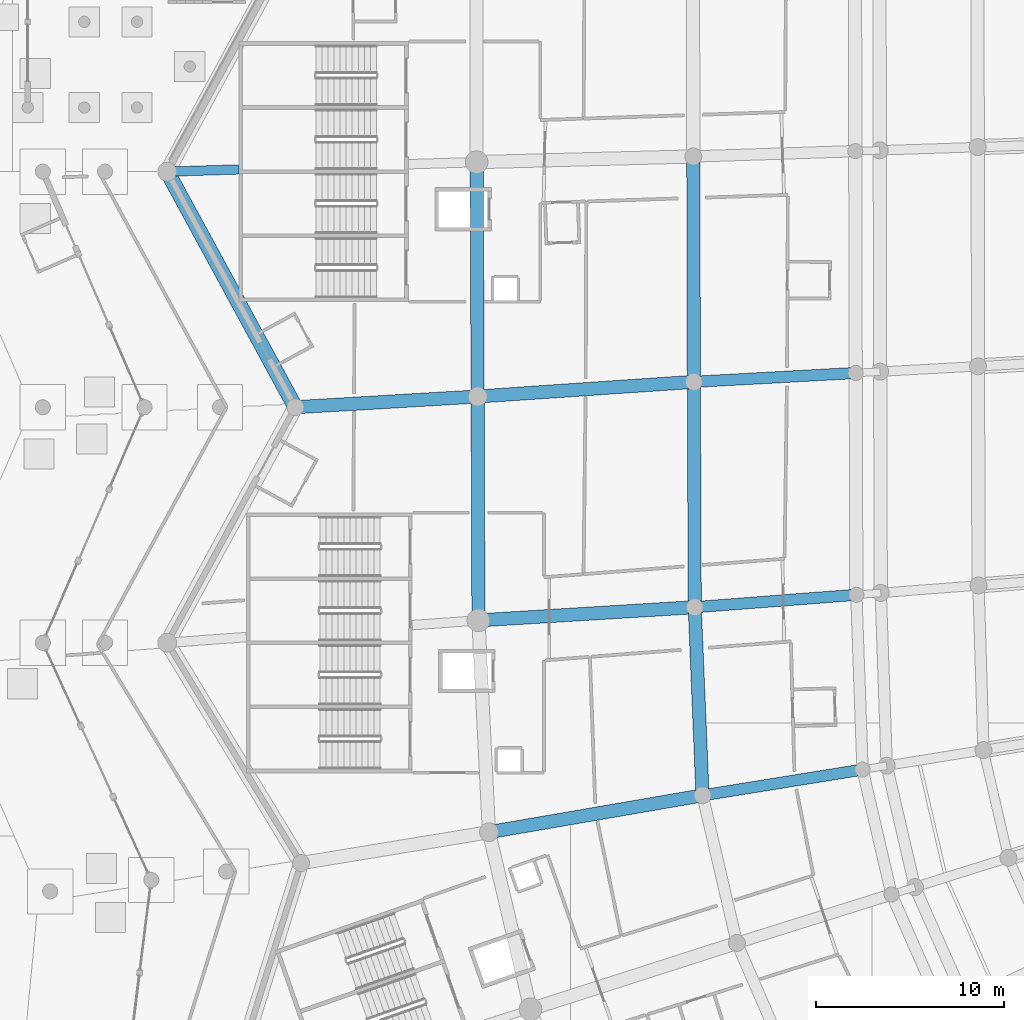
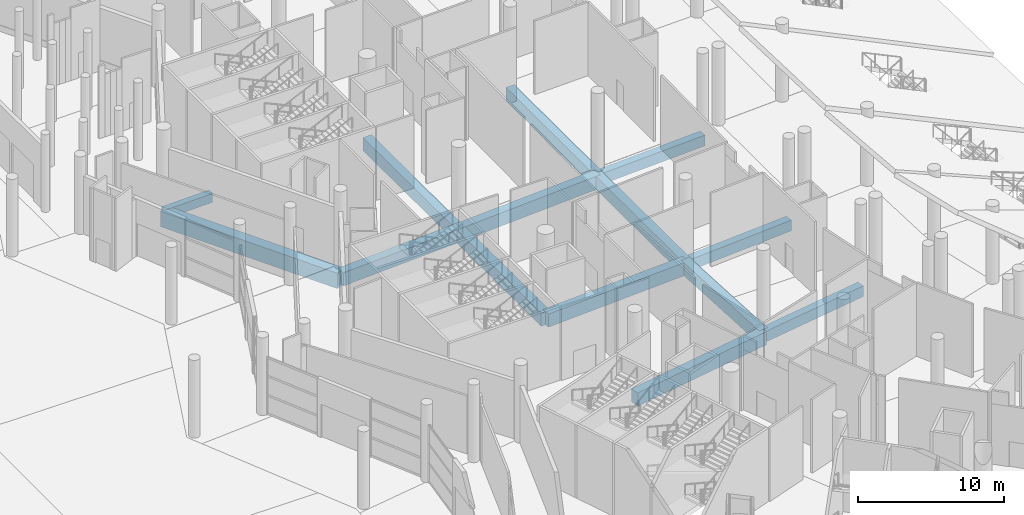
# One storey, part 25 of 255: 14 beams.
"""IFC4 building model written with IfcOpenShell, lengths in metres."""

from ifc_helpers import new_model, si_unit, direction, frame, origin, origin_2d, place, context, subcontext, project, spatial, rectangle, extrude, material, material_profile, profile_set, type_object, element, save


model = new_model("IFC4")

# Units and contexts
model_context = context("Model", 3, precision=1e-05, world=origin(), true_north=direction((0.0, 1.0)))
body_context = subcontext(model_context, "Body", "Model", "MODEL_VIEW")
ifc_project = project(units=[si_unit("LENGTHUNIT", "METRE"), si_unit("AREAUNIT", "SQUARE_METRE"), si_unit("VOLUMEUNIT", "CUBIC_METRE"), si_unit("PLANEANGLEUNIT", "RADIAN"), si_unit("MASSUNIT", "GRAM", prefix="KILO")], contexts=[model_context])

# Site, building, storey
site_placement = place(None, origin())
site = spatial("IfcSite", under=ifc_project, at=site_placement, CompositionType="ELEMENT")
building_placement = place(site_placement, origin())
building = spatial("IfcBuilding", under=site, at=building_placement, Name="Meseta Stadium", CompositionType="ELEMENT")
storey_placement = place(building_placement, origin())
storey = spatial("IfcBuildingStorey", under=building, at=storey_placement, Name="L00", CompositionType="ELEMENT", Elevation=0.0)

# Beams
ifc_material_1 = material(Name="Concrete C40/50", Category="concrete")
ifc_material_profile_1 = material_profile(ifc_material_1, rectangle(XDim=0.5, YDim=0.75, at=origin_2d()), Name="RC 500x750")
ifc_profile_set_1 = profile_set([ifc_material_profile_1], Name="Concrete C40/50")
beam_type_1 = type_object("IfcBeamType", Name="RC beam 500x750", PredefinedType="BEAM", material=ifc_profile_set_1)
beam_1_placement = place(storey_placement, frame((-97.60009765625, -18.6328125, -0.77490234375), z_axis=(-0.99952477381, -0.030825744759, 0.0), x_axis=(0.030825744759, -0.99952477381, 0.0)))
element("IfcBeam", 1, at=beam_1_placement, inside=storey, type_object=beam_type_1, Name="L00 radial beam frame 34 line P to R", PredefinedType="BEAM", context=body_context, shape_type="SweptSolid", body=[
    extrude(rectangle(XDim=0.5, YDim=0.75, at=origin_2d()), origin(), (0.0, 0.0, 1.0), 3.801513671875),
])
ifc_material_2 = material(Name="Concrete C40/50", Category="concrete")
ifc_material_profile_2 = material_profile(ifc_material_2, rectangle(XDim=0.60009765625, YDim=0.89990234375, at=origin_2d()), Name="RC 600x900")
ifc_profile_set_2 = profile_set([ifc_material_profile_2], Name="Concrete C40/50")
beam_type_2 = type_object("IfcBeamType", Name="RC beam 600x900", PredefinedType="BEAM", material=ifc_profile_set_2)
for number, where, z_axis, x_axis, name in (
    (2, (-64.8642578125, -29.433349609375, -0.85009765625), (-0.998501047384, -0.054732607948, 0.0), (0.054732607948, -0.998501047384, 0.0), "L00 radial beam frame 35 line D to E"),
    (3, (-64.829833984375, -41.2041015625, -0.85009765625), (-0.997066996267, -0.076533685105, 0.0), (0.076533685105, -0.997066996267, 0.0), "L00 radial beam frame 36 line D to E"),
):
    element("IfcBeam", number, at=place(storey_placement, frame(where, z_axis=z_axis, x_axis=x_axis)), inside=storey, type_object=beam_type_2, Name=name, PredefinedType="BEAM", context=body_context, shape_type="SweptSolid", body=[
        extrude(rectangle(XDim=0.60009765625, YDim=0.89990234375, at=origin_2d()), origin(), (0.0, 0.0, 1.0), 8.60009765625),
    ])
beam_2_placement = place(storey_placement, frame((-64.501708984375, -50.479736328125, -0.85009765625), z_axis=(-0.987277660392, -0.159005727229, 0.0), x_axis=(0.159005727229, -0.987277660392, 0.0)))
element("IfcBeam", 4, at=beam_2_placement, inside=storey, type_object=beam_type_2, Name="L00 radial beam frame 37 line D to E", PredefinedType="BEAM", context=body_context, shape_type="SweptSolid", body=[
    extrude(rectangle(XDim=0.60009765625, YDim=0.89990234375, at=origin_2d()), origin(), (0.0, 0.0, 1.0), 8.599853515625),
])
ifc_material_3 = material(Name="Concrete C40/50", Category="concrete")
ifc_material_profile_3 = material_profile(ifc_material_3, rectangle(XDim=0.699951171875, YDim=1.10009765625, at=origin_2d()), Name="RC 700x1100")
ifc_profile_set_3 = profile_set([ifc_material_profile_3], Name="Concrete C40/50")
beam_type_3 = type_object("IfcBeamType", Name="RC beam 700x1100", PredefinedType="BEAM", material=ifc_profile_set_3)
beam_3_placement = place(storey_placement, frame((-73.482421875, -17.943603515625, -0.949951171875), z_axis=(0.002592357078, -0.999996639837, 0.0), x_axis=(0.999996639837, 0.002592357078, 0.0)))
element("IfcBeam", 5, at=beam_3_placement, inside=storey, type_object=beam_type_3, Name="L00 ring beam frame 34 line E", PredefinedType="BEAM", context=body_context, shape_type="SweptSolid", body=[
    extrude(rectangle(XDim=0.699951171875, YDim=1.10009765625, at=origin_2d()), origin(), (0.0, 0.0, 1.0), 11.96044921875),
])
beam_4_placement = place(storey_placement, frame((-84.978515625, -18.24365234375, -0.949951171875), z_axis=(0.004279001378, -0.999990845032, 0.0), x_axis=(0.999990845032, 0.004279001378, 0.0)))
element("IfcBeam", 6, at=beam_4_placement, inside=storey, type_object=beam_type_3, Name="L00 ring beam frame 34 line P", PredefinedType="BEAM", context=body_context, shape_type="SweptSolid", body=[
    extrude(rectangle(XDim=0.699951171875, YDim=1.10009765625, at=origin_2d()), origin(), (0.0, 0.0, 1.0), 12.43798828125),
])
beam_5_placement = place(storey_placement, frame((-73.451416015625, -29.904052734375, -0.949951171875), z_axis=(0.003899441576, -0.999992397149, 0.0), x_axis=(0.999992397149, 0.003899441576, 0.0)))
element("IfcBeam", 7, at=beam_5_placement, inside=storey, type_object=beam_type_3, Name="L00 ring beam frame 35 line E", PredefinedType="BEAM", context=body_context, shape_type="SweptSolid", body=[
    extrude(rectangle(XDim=0.699951171875, YDim=1.10009765625, at=origin_2d()), origin(), (0.0, 0.0, 1.0), 11.958251953125),
])
beam_6_placement = place(storey_placement, frame((-84.92529296875, -30.681640625, -0.949951171875), z_axis=(0.003473057557, -0.999993968917, 0.0), x_axis=(0.999993968917, 0.003473057557, 0.0)))
element("IfcBeam", 8, at=beam_6_placement, inside=storey, type_object=beam_type_3, Name="L00 ring beam frame 35 line P", PredefinedType="BEAM", context=body_context, shape_type="SweptSolid", body=[
    extrude(rectangle(XDim=0.699951171875, YDim=1.10009765625, at=origin_2d()), origin(), (0.0, 0.0, 1.0), 11.8798828125),
])
beam_7_placement = place(storey_placement, frame((-73.40478515625, -41.8623046875, -0.949951171875), z_axis=(0.041287079546, -0.999147325004, 0.0), x_axis=(0.999147325004, 0.041287079546, 0.0)))
element("IfcBeam", 9, at=beam_7_placement, inside=storey, type_object=beam_type_3, Name="L00 ring beam frame 36 line E", PredefinedType="BEAM", context=body_context, shape_type="SweptSolid", body=[
    extrude(rectangle(XDim=0.699951171875, YDim=1.10009765625, at=origin_2d()), origin(), (0.0, 0.0, 1.0), 9.993408203125),
])
beam_8_placement = place(storey_placement, frame((-73.451416015625, -29.904052734375, -0.949951171875), z_axis=(-0.997711474421, -0.067615189183, 0.0), x_axis=(0.067615189183, -0.997711474421, 0.0)))
element("IfcBeam", 10, at=beam_8_placement, inside=storey, type_object=beam_type_3, Name="L00 radial beam frame 35 line E to P", PredefinedType="BEAM", context=body_context, shape_type="SweptSolid", body=[
    extrude(rectangle(XDim=0.699951171875, YDim=1.10009765625, at=origin_2d()), origin(), (0.0, 0.0, 1.0), 11.500244140625),
])
beam_9_placement = place(storey_placement, frame((-84.92529296875, -30.681640625, -0.949951171875), z_axis=(-0.998278887273, -0.058645231896, 0.0), x_axis=(0.058645231896, -0.998278887273, 0.0)))
element("IfcBeam", 11, at=beam_9_placement, inside=storey, type_object=beam_type_3, Name="L00 radial beam frame 35 line P to R", PredefinedType="BEAM", context=body_context, shape_type="SweptSolid", body=[
    extrude(rectangle(XDim=0.699951171875, YDim=1.10009765625, at=origin_2d()), origin(), (0.0, 0.0, 1.0), 9.69140625),
])
beam_10_placement = place(storey_placement, frame((-73.40478515625, -41.8623046875, -0.949951171875), z_axis=(-0.998150037989, -0.060798862349, 0.0), x_axis=(0.060798862349, -0.998150037989, 0.0)))
element("IfcBeam", 12, at=beam_10_placement, inside=storey, type_object=beam_type_3, Name="L00 radial beam frame 36 line E to P", PredefinedType="BEAM", context=body_context, shape_type="SweptSolid", body=[
    extrude(rectangle(XDim=0.699951171875, YDim=1.10009765625, at=origin_2d()), origin(), (0.0, 0.0, 1.0), 11.50048828125),
])
beam_11_placement = place(storey_placement, frame((-72.9921875, -51.84716796875, -0.949951171875), z_axis=(-0.985454599583, -0.169938907145, 0.0), x_axis=(0.169938907145, -0.985454599583, 0.0)))
element("IfcBeam", 13, at=beam_11_placement, inside=storey, type_object=beam_type_3, Name="L00 radial beam frame 37 line E to P", PredefinedType="BEAM", context=body_context, shape_type="SweptSolid", body=[
    extrude(rectangle(XDim=0.699951171875, YDim=1.10009765625, at=origin_2d()), origin(), (0.0, 0.0, 1.0), 11.500244140625),
])
ifc_material_4 = material(Name="Concrete C40/50", Category="concrete")
ifc_material_profile_4 = material_profile(ifc_material_4, rectangle(XDim=0.800048828125, YDim=1.300048828125, at=origin_2d()), Name="RC 800x1300")
ifc_profile_set_4 = profile_set([ifc_material_profile_4], Name="Concrete C40/50")
beam_type_4 = type_object("IfcBeamType", Name="RC beam 800x1300", PredefinedType="BEAM", material=ifc_profile_set_4)
beam_12_placement = place(storey_placement, frame((-101.39990234375, -18.75, -1.050048828125), z_axis=(0.47785649891, -0.878437912689, 0.0), x_axis=(0.878437912689, 0.47785649891, 0.0)))
element("IfcBeam", 14, at=beam_12_placement, inside=storey, type_object=beam_type_4, Name="L00 ring beam frame 34 line R", PredefinedType="BEAM", context=body_context, shape_type="SweptSolid", body=[
    extrude(rectangle(XDim=0.800048828125, YDim=1.300048828125, at=origin_2d()), origin(), (0.0, 0.0, 1.0), 14.229736328125),
])

save(model, "model.ifc")
